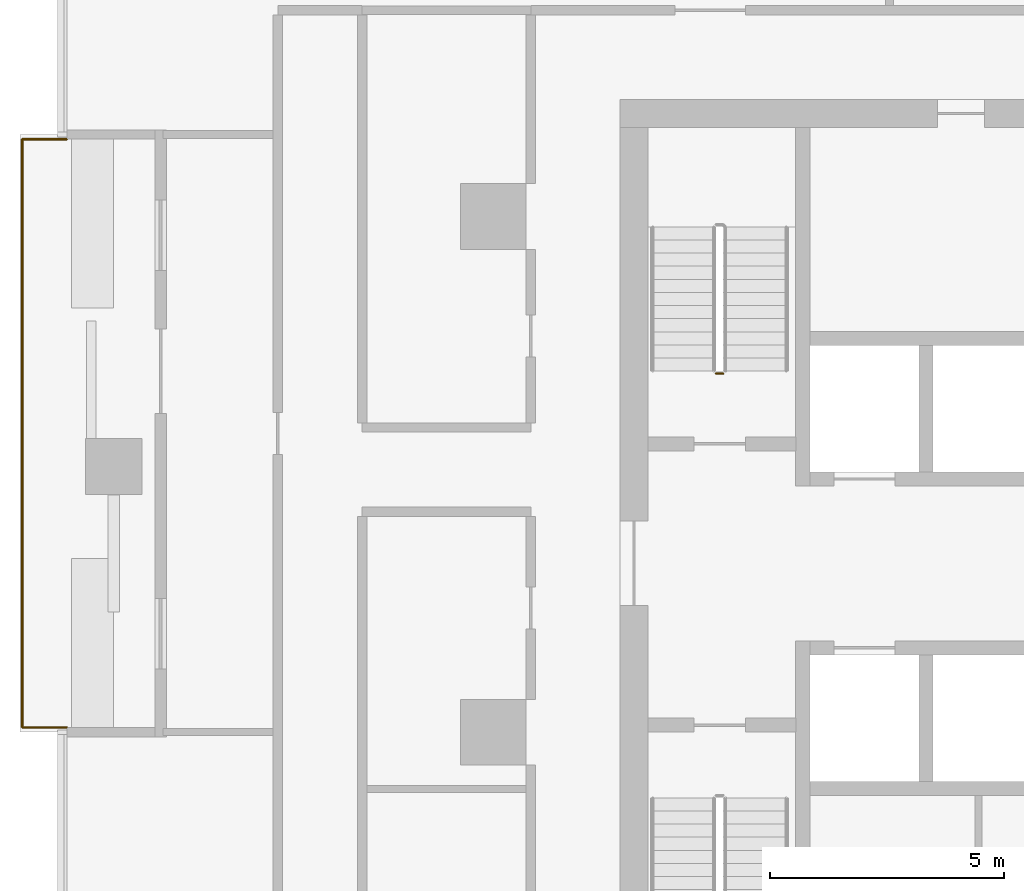
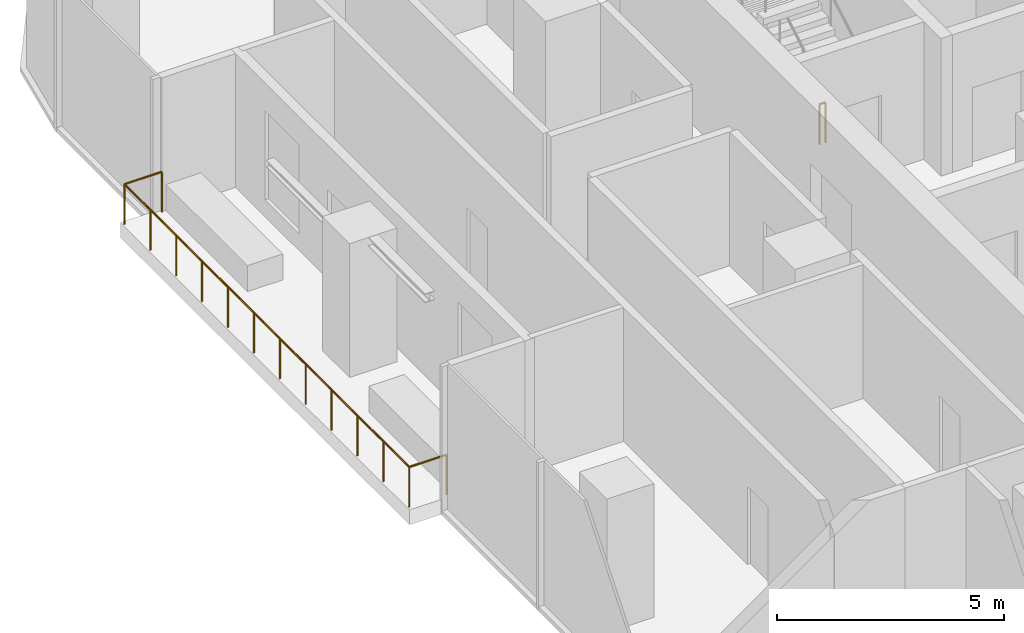
# One storey, part 13 of 15: 2 railings.
"""IFC4 building model written with IfcOpenShell, lengths in metres."""

from ifc_helpers import new_model, si_unit, direction, frame, origin, origin_2d, place, context, subcontext, project, spatial, circle, extrude, material, type_object, element, save


model = new_model("IFC4")

# Units and contexts
model_context = context("Model", 3, precision=1e-05, world=origin(), true_north=direction((0.0, 1.0)))
body_context = subcontext(model_context, "Body", "Model", "MODEL_VIEW")
ifc_project = project(units=[si_unit("LENGTHUNIT", "METRE"), si_unit("AREAUNIT", "SQUARE_METRE"), si_unit("VOLUMEUNIT", "CUBIC_METRE"), si_unit("PLANEANGLEUNIT", "RADIAN"), si_unit("MASSUNIT", "GRAM", prefix="KILO")], contexts=[model_context])

# Site, building, storey
site_placement = place(None, origin())
site = spatial("IfcSite", under=ifc_project, at=site_placement, CompositionType="ELEMENT")
building_placement = place(site_placement, origin())
building = spatial("IfcBuilding", under=site, at=building_placement, Name="Mopane Tessera Tower", CompositionType="ELEMENT")
storey_placement = place(building_placement, frame((0.0, 0.0, 173.0)))
storey = spatial("IfcBuildingStorey", under=building, at=storey_placement, Name="L35", CompositionType="ELEMENT", Elevation=173.0)

# Railings
ifc_material_1 = material(Name="Powder-coated steel balustrade", Category="steel")
railing_type_1 = type_object("IfcRailingType", Name="Escape stair guard 1100 mm", PredefinedType="GUARDRAIL", material=ifc_material_1)
railing_1_placement = place(storey_placement, frame((-12.199951171875, 7.64990234375, 0.0)))
element("IfcRailing", 1, at=railing_1_placement, inside=storey, type_object=railing_type_1, Name="L35 ST2 stair guard 3", PredefinedType="GUARDRAIL", context=body_context, shape_type="SweptSolid", body=[
    extrude(circle(Radius=0.02392578125, at=origin_2d()), frame((0.0, 0.0, 1.076171875), z_axis=(-1.0, 0.0, 0.0), x_axis=(0.0, -1.0, 0.0)), (0.0, 0.0, 1.0), 0.150146484375),
    extrude(circle(Radius=0.02099609375, at=origin_2d()), origin(), (0.0, 0.0, 1.0), 1.052001953125),
    extrude(circle(Radius=0.02099609375, at=origin_2d()), frame((-0.150146484375, 0.0, 0.0)), (0.0, 0.0, 1.0), 1.052001953125),
])
ifc_material_2 = material(Name="Stainless steel S316", Category="steel")
railing_type_2 = type_object("IfcRailingType", Name="Terrace guard 1100", PredefinedType="GUARDRAIL", material=ifc_material_2)
railing_2_placement = place(storey_placement, frame((-26.199951171875, 12.64990234375, 0.0)))
element("IfcRailing", 2, at=railing_2_placement, inside=storey, type_object=railing_type_2, Name="e:nw:L35:N1:guard", PredefinedType="GUARDRAIL", context=body_context, shape_type="SweptSolid", body=[
    extrude(circle(Radius=0.02392578125, at=origin_2d()), frame((0.0, 0.0, 1.076171875), z_axis=(-1.0, 0.0, 0.0), x_axis=(0.0, -1.0, 0.0)), (0.0, 0.0, 1.0), 0.949951171875),
    extrude(circle(Radius=0.02392578125, at=origin_2d()), frame((-0.949951171875, 0.0, 1.076171875), z_axis=(0.0, -1.0, 0.0), x_axis=(1.0, 0.0, 0.0)), (0.0, 0.0, 1.0), 12.5498046875),
    extrude(circle(Radius=0.02392578125, at=origin_2d()), frame((-0.949951171875, -12.5498046875, 1.076171875), z_axis=(1.0, 0.0, 0.0), x_axis=(0.0, 1.0, 0.0)), (0.0, 0.0, 1.0), 0.949951171875),
    extrude(circle(Radius=0.02099609375, at=origin_2d()), origin(), (0.0, 0.0, 1.0), 1.052001953125),
    extrude(circle(Radius=0.02099609375, at=origin_2d()), frame((-0.949951171875, 0.0, 0.0)), (0.0, 0.0, 1.0), 1.052001953125),
    extrude(circle(Radius=0.02099609375, at=origin_2d()), frame((-0.949951171875, -1.140869140625, 0.0)), (0.0, 0.0, 1.0), 1.052001953125),
    extrude(circle(Radius=0.02099609375, at=origin_2d()), frame((-0.949951171875, -2.28173828125, 0.0)), (0.0, 0.0, 1.0), 1.052001953125),
    extrude(circle(Radius=0.02099609375, at=origin_2d()), frame((-0.949951171875, -3.422607421875, 0.0)), (0.0, 0.0, 1.0), 1.052001953125),
    extrude(circle(Radius=0.02099609375, at=origin_2d()), frame((-0.949951171875, -4.5634765625, 0.0)), (0.0, 0.0, 1.0), 1.052001953125),
    extrude(circle(Radius=0.02099609375, at=origin_2d()), frame((-0.949951171875, -5.704345703125, 0.0)), (0.0, 0.0, 1.0), 1.052001953125),
    extrude(circle(Radius=0.02099609375, at=origin_2d()), frame((-0.949951171875, -6.845458984375, 0.0)), (0.0, 0.0, 1.0), 1.052001953125),
    extrude(circle(Radius=0.02099609375, at=origin_2d()), frame((-0.949951171875, -7.986328125, 0.0)), (0.0, 0.0, 1.0), 1.052001953125),
    extrude(circle(Radius=0.02099609375, at=origin_2d()), frame((-0.949951171875, -9.127197265625, 0.0)), (0.0, 0.0, 1.0), 1.052001953125),
    extrude(circle(Radius=0.02099609375, at=origin_2d()), frame((-0.949951171875, -10.26806640625, 0.0)), (0.0, 0.0, 1.0), 1.052001953125),
    extrude(circle(Radius=0.02099609375, at=origin_2d()), frame((-0.949951171875, -11.408935546875, 0.0)), (0.0, 0.0, 1.0), 1.052001953125),
    extrude(circle(Radius=0.02099609375, at=origin_2d()), frame((-0.949951171875, -12.5498046875, 0.0)), (0.0, 0.0, 1.0), 1.052001953125),
    extrude(circle(Radius=0.02099609375, at=origin_2d()), frame((0.0, -12.5498046875, 0.0)), (0.0, 0.0, 1.0), 1.052001953125),
])

save(model, "model.ifc")
